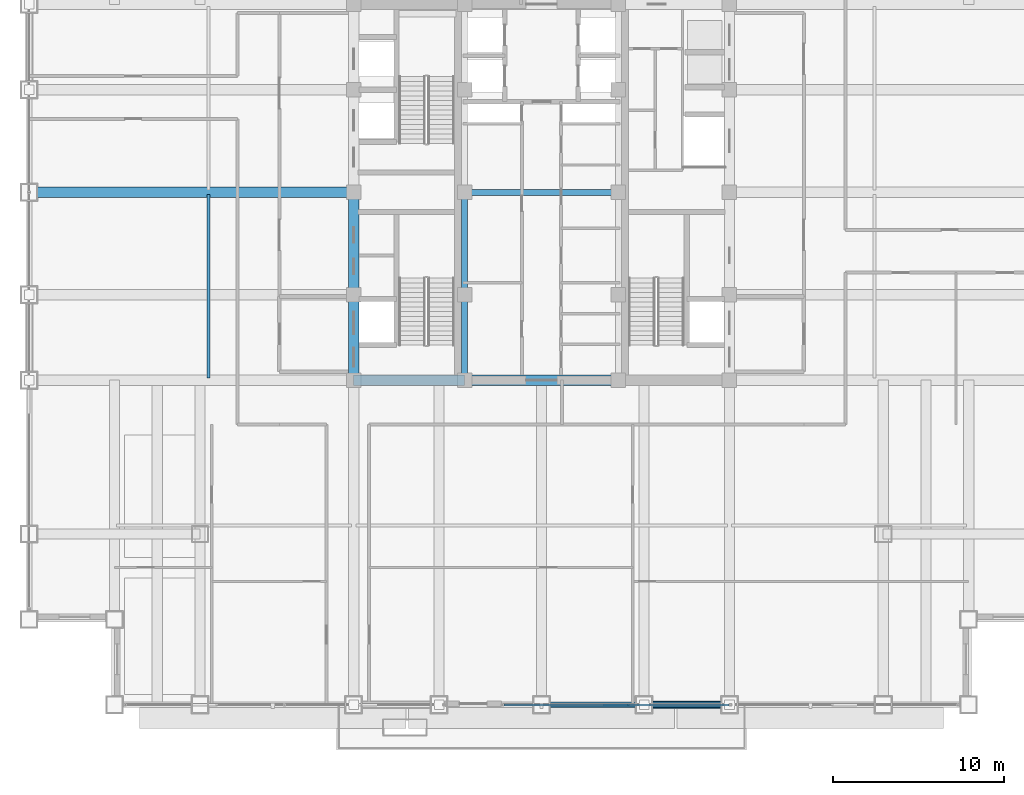
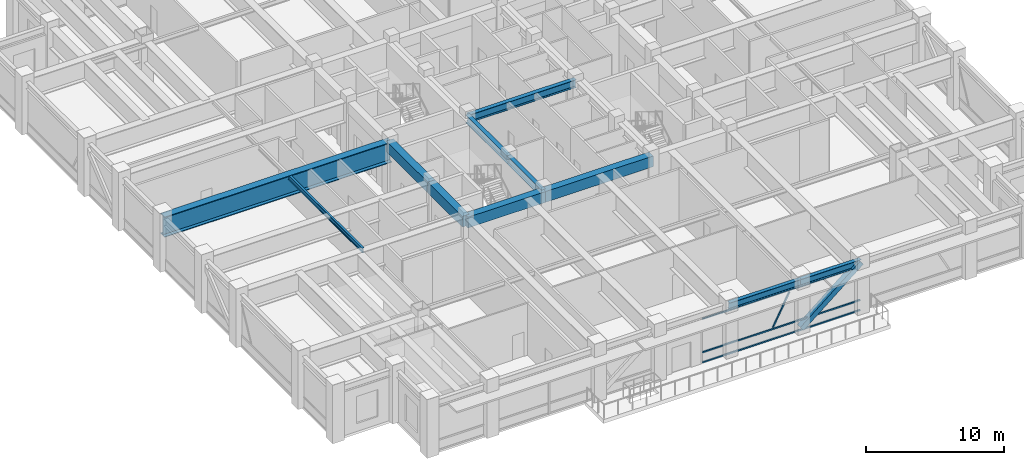
# One storey, part 7 of 33: 11 beams, 5 members, 1 element without a shape of its own.
"""IFC4 building model written with IfcOpenShell, lengths in metres."""

from ifc_helpers import new_model, si_unit, direction, frame, origin, origin_2d, place, context, subcontext, project, spatial, rectangle, hollow_rectangle, i_section, extrude, source, transform, mapped, material, material_profile, profile_set, type_object, element, aggregate, save


model = new_model("IFC4")

# Units and contexts
model_context = context("Model", 3, precision=1e-05, world=origin(), true_north=direction((0.0, 1.0)))
body_context = subcontext(model_context, "Body", "Model", "MODEL_VIEW")
ifc_project = project(units=[si_unit("LENGTHUNIT", "METRE"), si_unit("AREAUNIT", "SQUARE_METRE"), si_unit("VOLUMEUNIT", "CUBIC_METRE"), si_unit("PLANEANGLEUNIT", "RADIAN"), si_unit("MASSUNIT", "GRAM", prefix="KILO")], contexts=[model_context])

# Site, building, storey
site_placement = place(None, origin())
site = spatial("IfcSite", under=ifc_project, at=site_placement, CompositionType="ELEMENT")
building_placement = place(site_placement, origin())
building = spatial("IfcBuilding", under=site, at=building_placement, Name="Khorayat Bourse Tower", CompositionType="ELEMENT")
storey_placement = place(building_placement, frame((0.0, 0.0, 263.10009765625)))
storey = spatial("IfcBuildingStorey", under=building, at=storey_placement, Name="L62", CompositionType="ELEMENT", Elevation=263.10009765625)

# Beams
ifc_material_1 = material(Name="Steel ASTM A992 Grade 50", Category="steel")
ifc_material_profile_1 = material_profile(ifc_material_1, i_section(OverallWidth=0.35498046875, OverallDepth=0.695068359375, WebThickness=0.015380859375, FlangeThickness=0.02490234375, FilletRadius=0.01806640625, at=origin_2d()), Name="W690X217")
ifc_profile_set_1 = profile_set([ifc_material_profile_1], Name="Steel ASTM A992 Grade 50")
beam_type_1 = type_object("IfcBeamType", Name="BM-GIRD-690", PredefinedType="BEAM", material=ifc_profile_set_1)
shared_shape_1 = source(origin(), body_context, "Body", "SweptSolid", [
    extrude(i_section(OverallWidth=0.35498046875, OverallDepth=0.695068359375, WebThickness=0.015380859375, FlangeThickness=0.02490234375, FilletRadius=0.01806640625, at=origin_2d()), origin(), (0.0, 0.0, 1.0), 5.0),
])
beam_1_placement = place(storey_placement, frame((-4.5, -11.0, 4.25244140625), z_axis=(0.0, 1.0, 0.0), x_axis=(-1.0, 0.0, 0.0)))
element("IfcBeam", 1, at=beam_1_placement, inside=storey, type_object=beam_type_1, Name="L62 BM-GIRD-690 BM-L62-CRX-05", PredefinedType="BEAM", context=body_context, shape_type="MappedRepresentation", body=[
    mapped(shared_shape_1, transform((0.0, 0.0, 0.0), scale=1.0)),
])
shared_shape_2 = source(origin(), body_context, "Body", "SweptSolid", [
    extrude(i_section(OverallWidth=0.35498046875, OverallDepth=0.695068359375, WebThickness=0.015380859375, FlangeThickness=0.02490234375, FilletRadius=0.01806640625, at=origin_2d()), origin(), (0.0, 0.0, 1.0), 6.0),
])
beam_2_placement = place(storey_placement, frame((-4.5, -6.0, 4.25244140625), z_axis=(0.0, 1.0, 0.0), x_axis=(-1.0, 0.0, 0.0)))
element("IfcBeam", 2, at=beam_2_placement, inside=storey, type_object=beam_type_1, Name="L62 BM-GIRD-690 BM-L62-CRX-06", PredefinedType="BEAM", context=body_context, shape_type="MappedRepresentation", body=[
    mapped(shared_shape_2, transform((0.0, 0.0, 0.0), scale=1.0)),
])
shared_shape_3 = source(origin(), body_context, "Body", "SweptSolid", [
    extrude(i_section(OverallWidth=0.35498046875, OverallDepth=0.695068359375, WebThickness=0.015380859375, FlangeThickness=0.02490234375, FilletRadius=0.01806640625, at=origin_2d()), origin(), (0.0, 0.0, 1.0), 9.0),
])
beam_3_placement = place(storey_placement, frame((-4.5, 0.0, 4.25244140625), z_axis=(1.0, 0.0, 0.0), x_axis=(0.0, 1.0, 0.0)))
element("IfcBeam", 3, at=beam_3_placement, inside=storey, type_object=beam_type_1, Name="L62 BM-GIRD-690 BM-L62-CRY-23", PredefinedType="BEAM", context=body_context, shape_type="MappedRepresentation", body=[
    mapped(shared_shape_3, transform((0.0, 0.0, 0.0), scale=1.0)),
])
ifc_material_profile_2 = material_profile(ifc_material_1, i_section(OverallWidth=0.180908203125, OverallDepth=0.4169921875, WebThickness=0.010986328125, FlangeThickness=0.018310546875, FilletRadius=0.011962890625, at=origin_2d()), Name="W410X85")
ifc_profile_set_2 = profile_set([ifc_material_profile_2], Name="Steel ASTM A992 Grade 50")
beam_type_2 = type_object("IfcBeamType", Name="BM-JOIST-410", PredefinedType="JOIST", material=ifc_profile_set_2)
shared_shape_4 = source(origin(), body_context, "Body", "SweptSolid", [
    extrude(i_section(OverallWidth=0.180908203125, OverallDepth=0.4169921875, WebThickness=0.010986328125, FlangeThickness=0.018310546875, FilletRadius=0.011962890625, at=origin_2d()), origin(), (0.0, 0.0, 1.0), 10.740234375),
])
beam_4_placement = place(storey_placement, frame((-19.5, -10.8701171875, 4.391357421875), z_axis=(0.0, 1.0, 0.0), x_axis=(-1.0, 0.0, 0.0)))
element("IfcBeam", 4, at=beam_4_placement, inside=storey, type_object=beam_type_2, Name="L62 BM-JOIST-410 BM-L62-JSTY-110", PredefinedType="JOIST", context=body_context, shape_type="MappedRepresentation", body=[
    mapped(shared_shape_4, transform((0.0, 0.0, 0.0), scale=1.0)),
])
ifc_material_profile_3 = material_profile(ifc_material_1, i_section(OverallWidth=0.324951171875, OverallDepth=0.615966796875, WebThickness=0.013916015625, FlangeThickness=0.021484375, FilletRadius=0.01611328125, at=origin_2d()), Name="W610X174")
ifc_profile_set_3 = profile_set([ifc_material_profile_3], Name="Steel ASTM A992 Grade 50")
beam_type_3 = type_object("IfcBeamType", Name="BM-SPAN-610", PredefinedType="SPANDREL", material=ifc_profile_set_3)
shared_shape_5 = source(origin(), body_context, "Body", "SweptSolid", [
    extrude(i_section(OverallWidth=0.324951171875, OverallDepth=0.615966796875, WebThickness=0.013916015625, FlangeThickness=0.021484375, FilletRadius=0.01611328125, at=origin_2d()), origin(), (0.0, 0.0, 1.0), 5.0),
])
beam_5_placement = place(storey_placement, frame((6.0, -30.0, 4.2919921875), z_axis=(1.0, 0.0, 0.0), x_axis=(0.0, 1.0, 0.0)))
element("IfcBeam", 5, at=beam_5_placement, inside=storey, type_object=beam_type_3, Name="L62 BM-SPAN-610 BM-L62-SPN-029", PredefinedType="SPANDREL", context=body_context, shape_type="MappedRepresentation", body=[
    mapped(shared_shape_5, transform((0.0, 0.0, 0.0), scale=1.0)),
])
shared_shape_6 = source(origin(), body_context, "Body", "SweptSolid", [
    extrude(i_section(OverallWidth=0.324951171875, OverallDepth=0.615966796875, WebThickness=0.013916015625, FlangeThickness=0.021484375, FilletRadius=0.01611328125, at=origin_2d()), origin(), (0.0, 0.0, 1.0), 6.0),
])
beam_6_placement = place(storey_placement, frame((0.0, -30.0, 4.2919921875), z_axis=(1.0, 0.0, 0.0), x_axis=(0.0, 1.0, 0.0)))
element("IfcBeam", 6, at=beam_6_placement, inside=storey, type_object=beam_type_3, Name="L62 BM-SPAN-610 BM-L62-SPN-028", PredefinedType="SPANDREL", context=body_context, shape_type="MappedRepresentation", body=[
    mapped(shared_shape_6, transform((0.0, 0.0, 0.0), scale=1.0)),
])
ifc_material_2 = material(Name="Concrete C60/75", Category="concrete")
ifc_material_profile_4 = material_profile(ifc_material_2, rectangle(XDim=0.60009765625, YDim=0.949951171875, at=origin_2d()), Name="RC 600x950")
ifc_profile_set_4 = profile_set([ifc_material_profile_4], Name="Concrete C60/75")
beam_type_4 = type_object("IfcBeamType", Name="BM-COUP-950", PredefinedType="BEAM", material=ifc_profile_set_4)
shared_shape_7 = source(origin(), body_context, "Body", "SweptSolid", [
    extrude(rectangle(XDim=0.60009765625, YDim=0.949951171875, at=origin_2d()), origin(), (0.0, 0.0, 1.0), 5.0),
])
beam_7_placement = place(storey_placement, frame((-11.0, -11.0, 4.125), z_axis=(0.0, 1.0, 0.0), x_axis=(-1.0, 0.0, 0.0)))
element("IfcBeam", 7, at=beam_7_placement, inside=storey, type_object=beam_type_4, Name="L62 BM-COUP-950 BM-L62-CRX-01", PredefinedType="BEAM", context=body_context, shape_type="MappedRepresentation", body=[
    mapped(shared_shape_7, transform((0.0, 0.0, 0.0), scale=1.0)),
])
shared_shape_8 = source(origin(), body_context, "Body", "SweptSolid", [
    extrude(rectangle(XDim=0.60009765625, YDim=0.949951171875, at=origin_2d()), origin(), (0.0, 0.0, 1.0), 6.0),
])
beam_8_placement = place(storey_placement, frame((-11.0, -6.0, 4.125), z_axis=(0.0, 1.0, 0.0), x_axis=(-1.0, 0.0, 0.0)))
element("IfcBeam", 8, at=beam_8_placement, inside=storey, type_object=beam_type_4, Name="L62 BM-COUP-950 BM-L62-CRX-02", PredefinedType="BEAM", context=body_context, shape_type="MappedRepresentation", body=[
    mapped(shared_shape_8, transform((0.0, 0.0, 0.0), scale=1.0)),
])
shared_shape_9 = source(origin(), body_context, "Body", "SweptSolid", [
    extrude(rectangle(XDim=0.60009765625, YDim=0.949951171875, at=origin_2d()), origin(), (0.0, 0.0, 1.0), 6.5),
])
beam_9_placement = place(storey_placement, frame((-11.0, -11.0, 4.125), z_axis=(1.0, 0.0, 0.0), x_axis=(0.0, 1.0, 0.0)))
element("IfcBeam", 9, at=beam_9_placement, inside=storey, type_object=beam_type_4, Name="L62 BM-COUP-950 BM-L62-CRY-17", PredefinedType="BEAM", context=body_context, shape_type="MappedRepresentation", body=[
    mapped(shared_shape_9, transform((0.0, 0.0, 0.0), scale=1.0)),
])
shared_shape_10 = source(origin(), body_context, "Body", "SweptSolid", [
    extrude(rectangle(XDim=0.60009765625, YDim=0.949951171875, at=origin_2d()), origin(), (0.0, 0.0, 1.0), 9.0),
])
beam_10_placement = place(storey_placement, frame((-4.5, -11.0, 4.125), z_axis=(1.0, 0.0, 0.0), x_axis=(0.0, 1.0, 0.0)))
element("IfcBeam", 10, at=beam_10_placement, inside=storey, type_object=beam_type_4, Name="L62 BM-COUP-950 BM-L62-CRY-18", PredefinedType="BEAM", context=body_context, shape_type="MappedRepresentation", body=[
    mapped(shared_shape_10, transform((0.0, 0.0, 0.0), scale=1.0)),
])
ifc_material_3 = material(Name="Steel EN 10025-4 S460M", Category="steel")
ifc_material_profile_5 = material_profile(ifc_material_3, i_section(OverallWidth=0.60009765625, OverallDepth=1.800048828125, WebThickness=0.031982421875, FlangeThickness=0.06005859375, at=origin_2d()), Name="PG 1800x600x32x60")
ifc_profile_set_5 = profile_set([ifc_material_profile_5], Name="Steel EN 10025-4 S460M")
beam_type_5 = type_object("IfcBeamType", Name="BM-TR-1800", PredefinedType="BEAM", material=ifc_profile_set_5)
shared_shape_11 = source(origin(), body_context, "Body", "SweptSolid", [
    extrude(i_section(OverallWidth=0.60009765625, OverallDepth=1.800048828125, WebThickness=0.031982421875, FlangeThickness=0.06005859375, at=origin_2d()), origin(), (0.0, 0.0, 1.0), 19.0),
])
beam_11_placement = place(storey_placement, frame((-30.0, 0.0, 3.699951171875), z_axis=(1.0, 0.0, 0.0), x_axis=(0.0, 1.0, 0.0)))
element("IfcBeam", 11, at=beam_11_placement, inside=storey, type_object=beam_type_5, Name="L62 BM-TR-1800 BM-L62-RADX-079", PredefinedType="BEAM", context=body_context, shape_type="MappedRepresentation", body=[
    mapped(shared_shape_11, transform((0.0, 0.0, 0.0), scale=1.0)),
])

# Member
ifc_material_profile_6 = material_profile(ifc_material_3, hollow_rectangle(XDim=0.449951171875, YDim=0.449951171875, WallThickness=0.02490234375, at=origin_2d()), Name="HSS 450x450x25")
ifc_profile_set_6 = profile_set([ifc_material_profile_6], Name="Steel EN 10025-4 S460M")
member_type_1 = type_object("IfcMemberType", Name="MBR-TUBE-450", PredefinedType="BRACE", material=ifc_profile_set_6)
shared_shape_12 = source(origin(), body_context, "Body", "SweptSolid", [
    extrude(hollow_rectangle(XDim=0.449951171875, YDim=0.449951171875, WallThickness=0.02490234375, at=origin_2d()), origin(), (0.0, 0.0, 1.0), 6.466064453125),
])
member_1_placement = place(storey_placement, frame((6.0, -30.0, 0.25), z_axis=(0.773278898257, 0.0, 0.634066041916), x_axis=(0.0, 1.0, 0.0)))
element("IfcMember", 12, at=member_1_placement, inside=storey, type_object=member_type_1, Name="L62 Perimeter Tube Brace 02", PredefinedType="BRACE", context=body_context, shape_type="MappedRepresentation", body=[
    mapped(shared_shape_12, transform((0.0, 0.0, 0.0), scale=1.0)),
])

# Curtain wall, members
ifc_material_4 = material(Name="Aluminium EN AW-6063 T6", Category="aluminium")
curtain_wall_type = type_object("IfcCurtainWallType", Name="CW-SYS-05", PredefinedType="NOTDEFINED", material=ifc_material_4)
curtain_wall_placement = place(storey_placement, origin())
curtain_wall = element("IfcCurtainWall", 13, at=curtain_wall_placement, inside=storey, type_object=curtain_wall_type, Name="L62 Curtain Wall CW-L62-S2", PredefinedType="NOTDEFINED")
ifc_material_profile_7 = material_profile(ifc_material_4, hollow_rectangle(XDim=0.1201171875, YDim=0.1201171875, WallThickness=0.0048828125, at=origin_2d()), Name="ALU 120x120x5")
ifc_profile_set_7 = profile_set([ifc_material_profile_7], Name="Aluminium EN AW-6063 T6")
member_type_2 = type_object("IfcMemberType", Name="CWM-DIAG-120", PredefinedType="MULLION", material=ifc_profile_set_7)
shared_shape_13 = source(origin(), body_context, "Body", "SweptSolid", [
    extrude(hollow_rectangle(XDim=0.1201171875, YDim=0.1201171875, WallThickness=0.0048828125, at=origin_2d()), origin(), (0.0, 0.0, 1.0), 3.006103515625),
])
member_2_placement = place(storey_placement, frame((3.68505859375, -30.0, 1.08984375), z_axis=(0.465699569312, 0.0, 0.884942885808), x_axis=(0.0, 1.0, 0.0)))
member_2 = element("IfcMember", 14, at=member_2_placement, type_object=member_type_2, Name="CW-L62-S2 Faceted Diagonal Mullion 1", PredefinedType="MULLION", context=body_context, shape_type="MappedRepresentation", body=[
    mapped(shared_shape_13, transform((0.0, 0.0, 0.0), scale=1.0)),
])
ifc_material_profile_8 = material_profile(ifc_material_4, hollow_rectangle(XDim=0.1201171875, YDim=0.1201171875, WallThickness=0.0048828125, at=origin_2d()), Name="ALU 120x120x5")
ifc_profile_set_8 = profile_set([ifc_material_profile_8], Name="Aluminium EN AW-6063 T6")
member_type_3 = type_object("IfcMemberType", Name="CWT-HORZ-120", PredefinedType="USERDEFINED", material=ifc_profile_set_8)
shared_shape_14 = source(origin(), body_context, "Body", "SweptSolid", [
    extrude(hollow_rectangle(XDim=0.1201171875, YDim=0.1201171875, WallThickness=0.0048828125, at=origin_2d()), origin(), (0.0, 0.0, 1.0), 13.18994140625),
])
member_3_placement = place(storey_placement, frame((-2.2099609375, -30.0, 0.059814453125), z_axis=(1.0, 0.0, 0.0), x_axis=(0.0, 1.0, 0.0)))
member_3 = element("IfcMember", 15, at=member_3_placement, type_object=member_type_3, Name="CW-L62-S2 Horizontal Transom 1-1", ObjectType="TRANSOM", PredefinedType="USERDEFINED", context=body_context, shape_type="MappedRepresentation", body=[
    mapped(shared_shape_14, transform((0.0, 0.0, 0.0), scale=1.0)),
])
member_4_placement = place(storey_placement, frame((-2.2099609375, -30.0, 0.949951171875), z_axis=(1.0, 0.0, 0.0), x_axis=(0.0, 1.0, 0.0)))
member_4 = element("IfcMember", 16, at=member_4_placement, type_object=member_type_3, Name="CW-L62-S2 Horizontal Transom 1-2", ObjectType="TRANSOM", PredefinedType="USERDEFINED", context=body_context, shape_type="MappedRepresentation", body=[
    mapped(shared_shape_14, transform((0.0, 0.0, 0.0), scale=1.0)),
])
member_5_placement = place(storey_placement, frame((-2.2099609375, -30.0, 3.889892578125), z_axis=(1.0, 0.0, 0.0), x_axis=(0.0, 1.0, 0.0)))
member_5 = element("IfcMember", 17, at=member_5_placement, type_object=member_type_3, Name="CW-L62-S2 Horizontal Transom 1-3", ObjectType="TRANSOM", PredefinedType="USERDEFINED", context=body_context, shape_type="MappedRepresentation", body=[
    mapped(shared_shape_14, transform((0.0, 0.0, 0.0), scale=1.0)),
])
aggregate(curtain_wall, [member_3, member_4, member_5, member_2])

save(model, "model.ifc")
